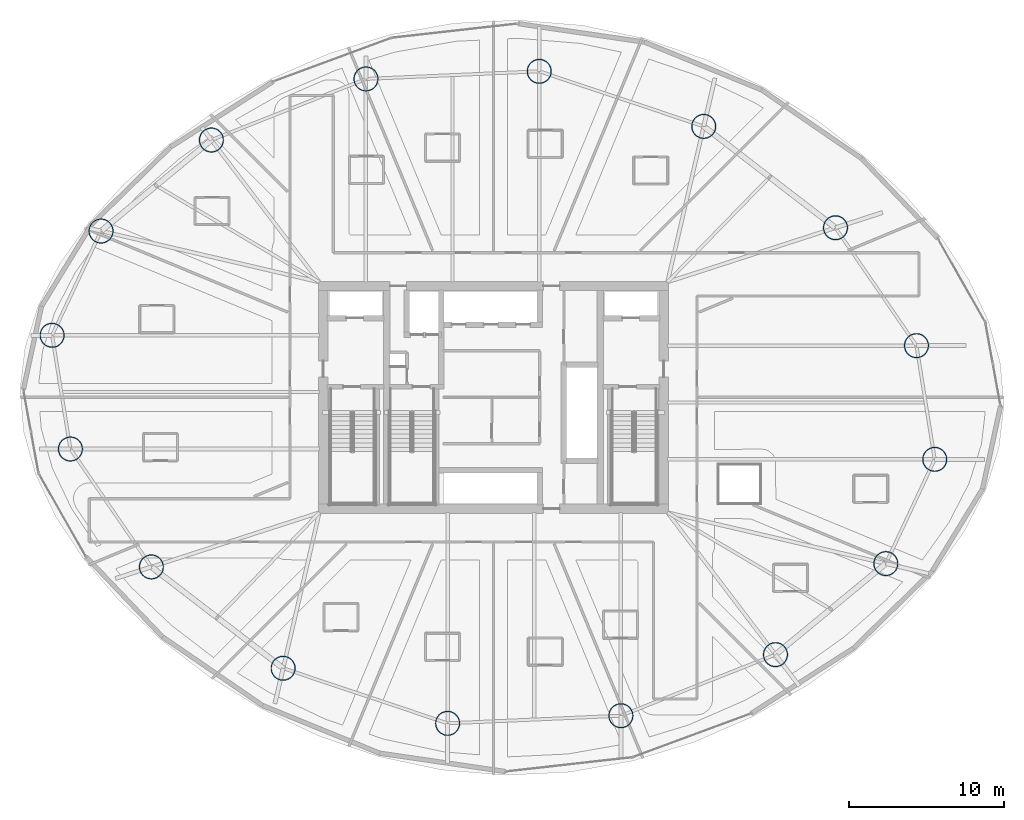
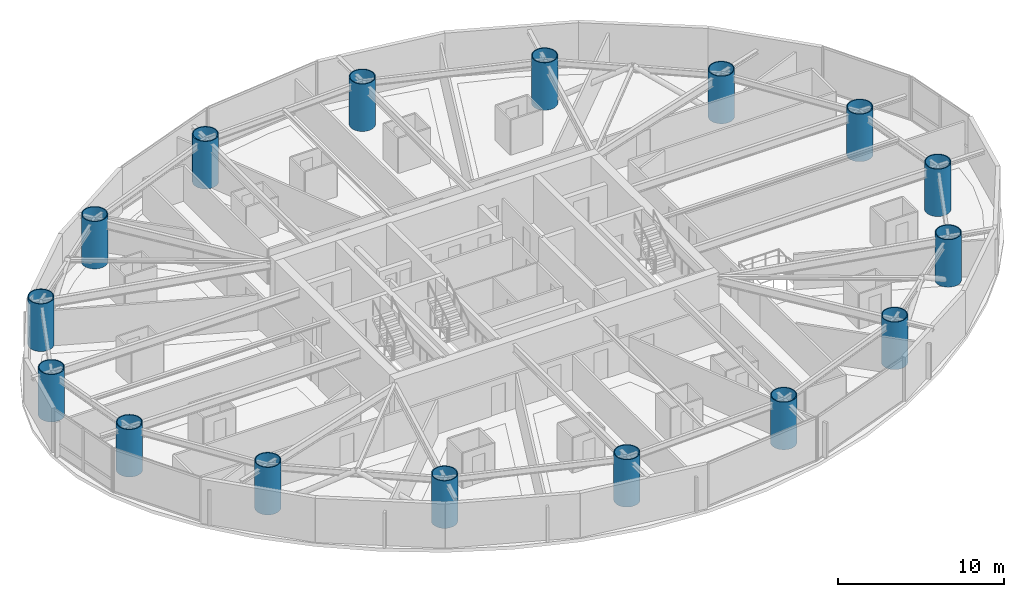
# One storey, part 1 of 27: 16 columns.
"""IFC4 building model written with IfcOpenShell, lengths in metres."""

from ifc_helpers import new_model, si_unit, direction, frame, origin, origin_2d, place, context, subcontext, project, spatial, hollow_circle, extrude, material, material_profile, profile_set, type_object, element, save


model = new_model("IFC4")

# Units and contexts
model_context = context("Model", 3, precision=1e-05, world=origin(), true_north=direction((0.0, 1.0)))
body_context = subcontext(model_context, "Body", "Model", "MODEL_VIEW")
ifc_project = project(units=[si_unit("LENGTHUNIT", "METRE"), si_unit("AREAUNIT", "SQUARE_METRE"), si_unit("VOLUMEUNIT", "CUBIC_METRE"), si_unit("PLANEANGLEUNIT", "RADIAN"), si_unit("MASSUNIT", "GRAM", prefix="KILO")], contexts=[model_context])

# Site, building, storey
site_placement = place(None, origin())
site = spatial("IfcSite", under=ifc_project, at=site_placement, CompositionType="ELEMENT")
building_placement = place(site_placement, origin())
building = spatial("IfcBuilding", under=site, at=building_placement, Name="Bramvorn Convention Spire", CompositionType="ELEMENT")
storey_placement = place(building_placement, frame((0.0, 0.0, 41.39990234375)))
storey = spatial("IfcBuildingStorey", under=building, at=storey_placement, Name="L07", CompositionType="ELEMENT", Elevation=41.39990234375)

# Columns
ifc_material = material(Name="Steel CSA G40.21 Grade 350 (350W)", Category="steel")
ifc_material_profile = material_profile(ifc_material, hollow_circle(Radius=0.800048828125, WallThickness=0.06005859375, at=origin_2d()))
ifc_profile_set = profile_set([ifc_material_profile], Name="Steel CSA G40.21 Grade 350 (350W) - CFT1600X60")
column_type = type_object("IfcColumnType", Name="COL-CFT1600X60", PredefinedType="COLUMN", material=ifc_profile_set)
for number, where, z_axis, x_axis, name in (
    (1, (66.519775390625, 21.99169921875, 0.0), (0.0, 0.0, 1.0), (1.0, 0.0, 0.0), "L07 composite CFT mega-column MC01"),
    (2, (65.338623046875, 29.340087890625, 0.0), (0.0, 0.0, 1.0), (1.0, 0.0, 0.0), "L07 composite CFT mega-column MC02"),
    (3, (60.105224609375, 36.960205078125, 0.0), (0.0, 0.0, 1.0), (1.0, 0.0, 0.0), "L07 composite CFT mega-column MC03"),
    (4, (51.59033203125, 43.509033203125, 0.0), (0.0, 0.0, 1.0), (1.0, 0.0, 0.0), "L07 composite CFT mega-column MC04"),
    (5, (40.9609375, 47.06884765625, 0.0), (0.0, 0.0, 1.0), (1.0, 0.0, 0.0), "L07 composite CFT mega-column MC05"),
    (6, (29.76220703125, 46.57666015625, 0.0), (0.0, 0.0, 1.0), (1.0, 0.0, 0.0), "L07 composite CFT mega-column MC06"),
    (7, (19.772216796875, 42.628662109375, 0.0), (0.0, 0.0, 1.0), (1.0, 0.0, 0.0), "L07 composite CFT mega-column MC07"),
    (8, (12.64111328125, 36.746337890625, 0.0), (0.0, 0.0, 1.0), (1.0, 0.0, 0.0), "L07 composite CFT mega-column MC08"),
    (9, (9.480224609375, 30.00830078125, 0.0), (0.0, 0.0, 1.0), (1.0, 0.0, 0.0), "L07 composite CFT mega-column MC09"),
    (10, (10.661376953125, 22.659912109375, 0.0), (0.0, 0.0, 1.0), (1.0, 0.0, 0.0), "L07 composite CFT mega-column MC10"),
    (11, (15.894775390625, 15.039794921875, 0.0), (0.0, 0.0, 1.0), (1.0, 0.0, 0.0), "L07 composite CFT mega-column MC11"),
    (12, (24.40966796875, 8.490966796875, 0.0), (0.0, 0.0, 1.0), (1.0, 0.0, 0.0), "L07 composite CFT mega-column MC12"),
    (13, (35.0390625, 4.93115234375, 0.0), (0.0, 0.0, 1.0), (1.0, 0.0, 0.0), "L07 composite CFT mega-column MC13"),
    (14, (46.23779296875, 5.42333984375, 0.0), (0.0, 0.0, 1.0), (1.0, 0.0, 0.0), "L07 composite CFT mega-column MC14"),
    (15, (56.227783203125, 9.371337890625, 0.0), (0.0, 0.0, 1.0), (1.0, 0.0, 0.0), "L07 composite CFT mega-column MC15"),
    (16, (63.35888671875, 15.253662109375, 0.0), (0.0, 0.0, 1.0), (1.0, 0.0, 0.0), "L07 composite CFT mega-column MC16"),
):
    element("IfcColumn", number, at=place(storey_placement, frame(where, z_axis=z_axis, x_axis=x_axis)), inside=storey, type_object=column_type, Name=name, PredefinedType="COLUMN", context=body_context, shape_type="SweptSolid", body=[
        extrude(hollow_circle(Radius=0.800048828125, WallThickness=0.06005859375, at=origin_2d()), origin(), (0.0, 0.0, 1.0), 3.5),
    ])

save(model, "model.ifc")
